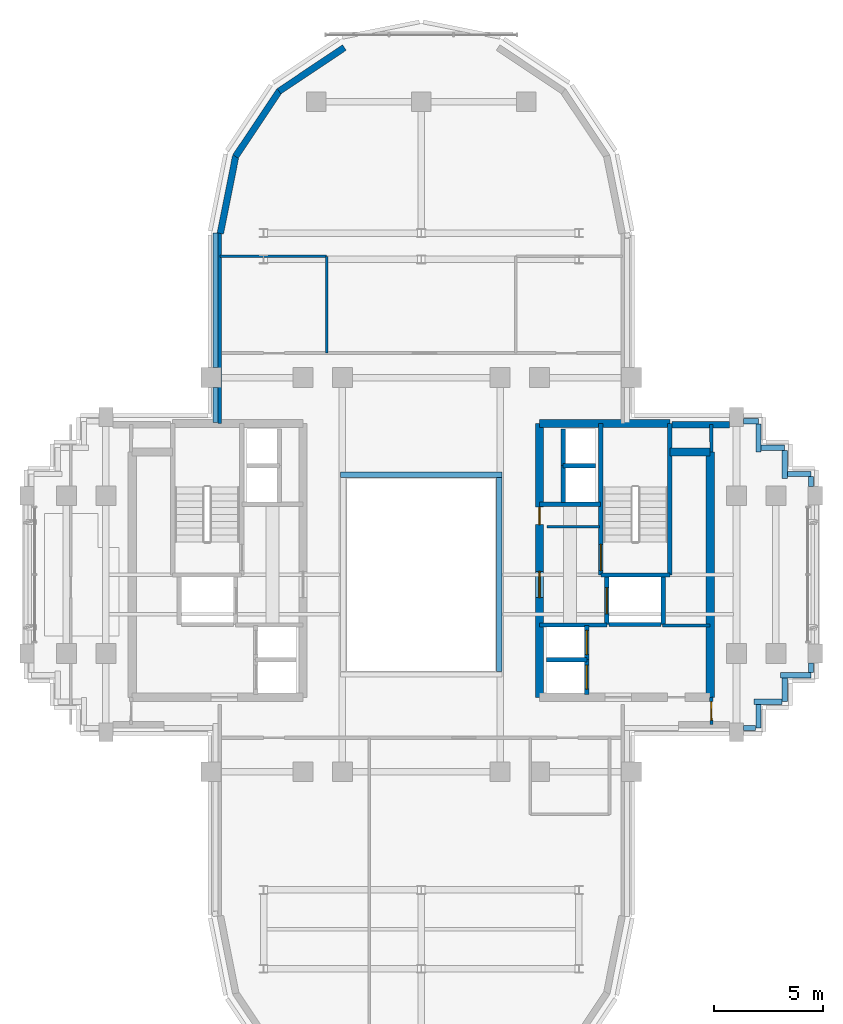
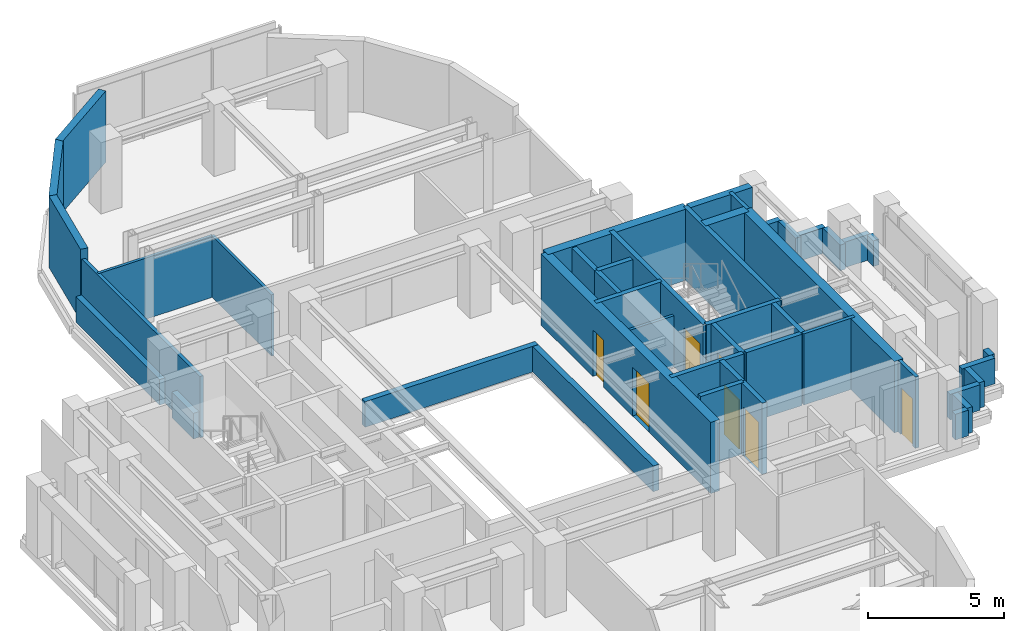
# One storey, part 7 of 11: 45 walls, 7 doors, 7 openings.
"""IFC4 building model written with IfcOpenShell, lengths in metres."""

from ifc_helpers import new_model, si_unit, direction, frame, frame_2d, origin, place, context, subcontext, project, spatial, rectangle, extrude, source, transform, mapped, material, layer, layer_set, type_object, element, fill, save


model = new_model("IFC4")

# Units and contexts
model_context = context("Model", 3, precision=1e-05, world=origin(), true_north=direction((0.0, 1.0)))
body_context = subcontext(model_context, "Body", "Model", "MODEL_VIEW")
ifc_project = project(units=[si_unit("LENGTHUNIT", "METRE"), si_unit("AREAUNIT", "SQUARE_METRE"), si_unit("VOLUMEUNIT", "CUBIC_METRE"), si_unit("PLANEANGLEUNIT", "RADIAN"), si_unit("MASSUNIT", "GRAM", prefix="KILO")], contexts=[model_context])

# Site, building, storey
site_placement = place(None, origin())
site = spatial("IfcSite", under=ifc_project, at=site_placement, CompositionType="ELEMENT")
building_placement = place(site_placement, origin())
building = spatial("IfcBuilding", under=site, at=building_placement, Name="Keilestroom Media Tower", CompositionType="ELEMENT")
storey_placement = place(building_placement, frame((0.0, 0.0, 170.60009765625)))
storey = spatial("IfcBuildingStorey", under=building, at=storey_placement, Name="L46", CompositionType="ELEMENT", Elevation=170.60009765625)

# Walls
ifc_material_1 = material(Name="Precast concrete C40/50", Category="concrete")
ifc_layer_1 = layer(ifc_material_1, 0.300048828125)
ifc_layer_set_1 = layer_set([ifc_layer_1], Name="Precast concrete C40/50")
wall_type_1 = type_object("IfcWallType", Name="Exterior-Masonry-Spandrel-Wall-300", PredefinedType="SOLIDWALL", material=ifc_layer_set_1)
wall_1_placement = place(storey_placement, frame((11.447998046875, 6.85009765625, 0.0), z_axis=(0.0, 0.0, 1.0), x_axis=(1.0, 0.0, 0.0)))
element("IfcWall", 1, at=wall_1_placement, inside=storey, type_object=wall_type_1, Name="L46 Flank Masonry Wall EWL-L46-NE-1", PredefinedType="SOLIDWALL", context=body_context, shape_type="SweptSolid", body=[
    extrude(rectangle(XDim=2.635009765625, YDim=0.300048828125, at=frame_2d((1.3173828125, 0.0))), origin(), (0.0, 0.0, 1.0), 3.199951171875),
])
wall_2_placement = place(storey_placement, frame((-3.510009765625, 24.073486328125, 0.0), z_axis=(0.0, 0.0, 1.0), x_axis=(-0.8314749531, -0.555562239868, 0.0)))
element("IfcWall", 2, at=wall_2_placement, inside=storey, type_object=wall_type_1, Name="L46 Lobe Facet Precast Frame Wall 04", PredefinedType="SOLIDWALL", context=body_context, shape_type="SweptSolid", body=[
    extrude(rectangle(XDim=3.59326171875, YDim=0.300048828125, at=frame_2d((1.796630859375, 0.0))), origin(), (0.0, 0.0, 1.0), 3.199951171875),
])
for number, where, z_axis, x_axis, name in (
    (3, (-6.47705078125, 22.097900390625, 0.0), (0.0, 0.0, 1.0), (-0.555574187116, -0.831466970246, 0.0), "L46 Lobe Facet Precast Frame Wall 05"),
    (4, (-8.470703125, 19.12451171875, 0.0), (0.0, 0.0, 1.0), (-0.195114232679, -0.980780523974, 0.0), "L46 Lobe Facet Precast Frame Wall 06"),
):
    element("IfcWall", number, at=place(storey_placement, frame(where, z_axis=z_axis, x_axis=x_axis)), inside=storey, type_object=wall_type_1, Name=name, PredefinedType="SOLIDWALL", context=body_context, shape_type="SweptSolid", body=[
        extrude(rectangle(XDim=3.608642578125, YDim=0.300048828125, at=frame_2d((1.80419921875, 0.0))), origin(), (0.0, 0.0, 1.0), 3.199951171875),
    ])
ifc_material_2 = material(Name="Gypsum Plasterboard & Steel Stud", Category="steel")
ifc_layer_2 = layer(ifc_material_2, 0.1201171875)
ifc_layer_set_2 = layer_set([ifc_layer_2], Name="Gypsum Plasterboard & Steel Stud")
wall_type_2 = type_object("IfcWallType", Name="Interior-Partition-Wall-120", PredefinedType="PARTITIONING", material=ifc_layer_set_2)
wall_3_placement = place(storey_placement, frame((5.75, 2.179931640625, 0.0), z_axis=(0.0, 0.0, 1.0), x_axis=(1.0, 0.0, 0.0)))
element("IfcWall", 5, at=wall_3_placement, inside=storey, type_object=wall_type_2, Name="L46 Interior Wall WP-L46-CIE-S", PredefinedType="PARTITIONING", context=body_context, shape_type="SweptSolid", body=[
    extrude(rectangle(XDim=2.389892578125, YDim=0.1201171875, at=frame_2d((1.19482421875, 0.0))), origin(), (0.0, 0.0, 1.0), 2.2998046875),
])
wall_4_placement = place(storey_placement, frame((-9.199951171875, 14.5400390625, 0.0), z_axis=(0.0, 0.0, 1.0), x_axis=(1.0, 0.0, 0.0)))
element("IfcWall", 6, at=wall_4_placement, inside=storey, type_object=wall_type_2, Name="L46 Interior Wall WP-L46-NL-HW", PredefinedType="PARTITIONING", context=body_context, shape_type="SweptSolid", body=[
    extrude(rectangle(XDim=4.8798828125, YDim=0.1201171875, at=frame_2d((2.43994140625, 0.0))), origin(), (0.0, 0.0, 1.0), 2.75),
])
wall_5_placement = place(storey_placement, frame((-4.320068359375, 10.1201171875, 0.0), z_axis=(0.0, 0.0, 1.0), x_axis=(0.0, 1.0, 0.0)))
element("IfcWall", 7, at=wall_5_placement, inside=storey, type_object=wall_type_2, Name="L46 Interior Wall WP-L46-NL-VW2", PredefinedType="PARTITIONING", context=body_context, shape_type="SweptSolid", body=[
    extrude(rectangle(XDim=4.419921875, YDim=0.1201171875, at=frame_2d((2.2099609375, 0.0))), origin(), (0.0, 0.0, 1.0), 2.75),
])
ifc_layer_3 = layer(ifc_material_2, 0.14990234375)
ifc_layer_set_3 = layer_set([ifc_layer_3], Name="Gypsum Plasterboard & Steel Stud")
wall_type_3 = type_object("IfcWallType", Name="Interior-Partition-Wall-150", PredefinedType="PARTITIONING", material=ifc_layer_set_3)
wall_6_placement = place(storey_placement, frame((11.02001953125, -2.320068359375, 0.0), z_axis=(0.0, 0.0, 1.0), x_axis=(1.0, 0.0, 0.0)))
element("IfcWall", 8, at=wall_6_placement, inside=storey, type_object=wall_type_3, Name="L46 Interior Wall WP-L46-RECLE-N", PredefinedType="PARTITIONING", context=body_context, shape_type="SweptSolid", body=[
    extrude(rectangle(XDim=2.179931640625, YDim=0.14990234375, at=frame_2d((1.08984375, 0.0))), origin(), (0.0, 0.0, 1.0), 3.199951171875),
])
wall_7_placement = place(storey_placement, frame((-9.199951171875, 6.89990234375, 0.0), z_axis=(0.0, 0.0, 1.0), x_axis=(0.0, 1.0, 0.0)))
element("IfcWall", 9, at=wall_7_placement, inside=storey, type_object=wall_type_3, Name="L46 Interior Wall WP-L46-NL-CHKW", PredefinedType="PARTITIONING", context=body_context, shape_type="SweptSolid", body=[
    extrude(rectangle(XDim=8.780029296875, YDim=0.14990234375, at=frame_2d((4.39013671875, 0.0))), origin(), (0.0, 0.0, 1.0), 2.75),
])
wall_8_placement = place(storey_placement, frame((13.260009765625, 5.60009765625, 0.0), z_axis=(0.0, 0.0, 1.0), x_axis=(-0.016013571389, 0.999871774545, 0.0)))
element("IfcWall", 10, at=wall_8_placement, inside=storey, type_object=wall_type_3, Name="L46 Interior Wall WP-L46-EA-ENTN", PredefinedType="PARTITIONING", context=body_context, shape_type="SweptSolid", body=[
    extrude(rectangle(XDim=1.250244140625, YDim=0.14990234375, at=frame_2d((0.625, 0.0))), origin(), (0.0, 0.0, 1.0), 3.199951171875),
])

# Wall, opening, door
wall_9_placement = place(storey_placement, frame((13.260009765625, -6.85009765625, 0.0), z_axis=(0.0, 0.0, 1.0), x_axis=(-0.016013571389, 0.999871774545, 0.0)))
wall_9 = element("IfcWall", 11, at=wall_9_placement, inside=storey, type_object=wall_type_3, Name="L46 Interior Wall WP-L46-EA-ENTS", PredefinedType="PARTITIONING", context=body_context, shape_type="SweptSolid", body=[
    extrude(rectangle(XDim=1.250244140625, YDim=0.14990234375, at=frame_2d((0.625, 0.0))), origin(), (0.0, 0.0, 1.0), 3.199951171875),
])
opening_1_placement = place(wall_9_placement, frame((0.199951171875, 0.0, 0.0)))
opening_1 = element("IfcOpeningElement", 12, at=opening_1_placement, cuts=wall_9, Name="Opening DI-05", PredefinedType="OPENING", context=body_context, shape_type="SweptSolid", body=[
    extrude(rectangle(XDim=0.85009765625, YDim=2.10009765625, at=frame_2d((0.425048828125, 1.050048828125))), frame((0.0, 0.0849609375, 0.0), z_axis=(0.0, -1.0, 0.0), x_axis=(1.0, 0.0, 0.0)), (0.0, 0.0, 1.0), 0.169921875),
])
ifc_material_3 = material(Name="Moisture-Resistant Oak Leaf", Category="wood")
door_type_1 = type_object("IfcDoorType", Name="Interior-En-Suite-And-Cupboard-Door-DI-05", OperationType="NOTDEFINED", PredefinedType="DOOR", material=ifc_material_3)
shared_shape_1 = source(origin(), body_context, "Body", "SweptSolid", [
    extrude(rectangle(XDim=0.85009765625, YDim=2.10009765625, at=frame_2d((0.425048828125, 1.050048828125))), frame((0.0, 0.02490234375, 0.0), z_axis=(0.0, -1.0, 0.0), x_axis=(1.0, 0.0, 0.0)), (0.0, 0.0, 1.0), 0.050048828125),
])
door_1_placement = place(opening_1_placement, origin())
door_1 = element("IfcDoor", 13, at=door_1_placement, inside=storey, type_object=door_type_1, Name="L46 Interior Door DI-L46-DEA-S", OperationType="SINGLE_SWING_LEFT", OverallHeight=2.10009765625, OverallWidth=0.85009765625, PredefinedType="DOOR", context=body_context, shape_type="MappedRepresentation", body=[
    mapped(shared_shape_1, transform((0.0, 0.0, 0.0), x_axis=(1.0, 0.0, 0.0), y_axis=(0.0, 1.0, 0.0), z_axis=(0.0, 0.0, 1.0), scale=1.0)),
])
fill(opening_1, door_1)

# Wall
ifc_material_4 = material(Name="Concrete C55/67", Category="concrete")
ifc_layer_4 = layer(ifc_material_4, 0.3798828125)
ifc_layer_set_4 = layer_set([ifc_layer_4], Name="Concrete C55/67")
wall_type_4 = type_object("IfcWallType", Name="Reinforced-Concrete-Core-Shear-Wall-380", PredefinedType="SHEAR", material=ifc_layer_set_4)
wall_10_placement = place(storey_placement, frame((13.199951171875, -5.60009765625, 0.0), z_axis=(0.0, 0.0, 1.0), x_axis=(0.0, 1.0, 0.0)))
element("IfcWall", 14, at=wall_10_placement, inside=storey, type_object=wall_type_4, Name="L46 Core Shear Wall WL-L46-CORE-E-OUT", PredefinedType="SHEAR", context=body_context, shape_type="SweptSolid", body=[
    extrude(rectangle(XDim=11.2001953125, YDim=0.3798828125, at=frame_2d((5.60009765625, 0.0))), origin(), (0.0, 0.0, 1.0), 3.199951171875),
])

# Wall, openings, doors
wall_11_placement = place(storey_placement, frame((5.39990234375, -5.60009765625, 0.0), z_axis=(0.0, 0.0, 1.0), x_axis=(0.0, 1.0, 0.0)))
wall_11 = element("IfcWall", 15, at=wall_11_placement, inside=storey, type_object=wall_type_4, Name="L46 Core Shear Wall WL-L46-CORE-E-IN", PredefinedType="SHEAR", context=body_context, shape_type="SweptSolid", body=[
    extrude(rectangle(XDim=12.5, YDim=0.3798828125, at=frame_2d((6.25, 0.0))), origin(), (0.0, 0.0, 1.0), 3.199951171875),
])
opening_2_placement = place(wall_11_placement, frame((4.550048828125, 0.0, 0.0)))
opening_2 = element("IfcOpeningElement", 16, at=opening_2_placement, cuts=wall_11, Name="Opening DI-02", PredefinedType="OPENING", context=body_context, shape_type="SweptSolid", body=[
    extrude(rectangle(XDim=1.199951171875, YDim=2.199951171875, at=frame_2d((0.60009765625, 1.10009765625))), frame((0.0, 0.199951171875, 0.0), z_axis=(0.0, -1.0, 0.0), x_axis=(1.0, 0.0, 0.0)), (0.0, 0.0, 1.0), 0.39990234375),
])
opening_3_placement = place(wall_11_placement, frame((7.8798828125, 0.0, 0.0)))
opening_3 = element("IfcOpeningElement", 17, at=opening_3_placement, cuts=wall_11, Name="Opening DI-06", PredefinedType="OPENING", context=body_context, shape_type="SweptSolid", body=[
    extrude(rectangle(XDim=0.800048828125, YDim=2.10009765625, at=frame_2d((0.39990234375, 1.050048828125))), frame((0.0, 0.199951171875, 0.0), z_axis=(0.0, -1.0, 0.0), x_axis=(1.0, 0.0, 0.0)), (0.0, 0.0, 1.0), 0.39990234375),
])
ifc_material_5 = material(Name="Powder-Coated Steel Fire Leaf", Category="steel")
door_type_2 = type_object("IfcDoorType", Name="Interior-Compartment-Fire-Door-DI-02", OperationType="NOTDEFINED", PredefinedType="DOOR", material=ifc_material_5)
shared_shape_2 = source(origin(), body_context, "Body", "SweptSolid", [
    extrude(rectangle(XDim=1.199951171875, YDim=2.199951171875, at=frame_2d((0.60009765625, 1.10009765625))), frame((0.0, 0.02490234375, 0.0), z_axis=(0.0, -1.0, 0.0), x_axis=(1.0, 0.0, 0.0)), (0.0, 0.0, 1.0), 0.050048828125),
])
door_2_placement = place(opening_2_placement, origin())
door_2 = element("IfcDoor", 18, at=door_2_placement, inside=storey, type_object=door_type_2, Name="L46 E Firefighting Lobby Door", OperationType="SINGLE_SWING_LEFT", OverallHeight=2.199951171875, OverallWidth=1.199951171875, PredefinedType="DOOR", context=body_context, shape_type="MappedRepresentation", body=[
    mapped(shared_shape_2, transform((0.0, 0.0, 0.0), x_axis=(1.0, 0.0, 0.0), y_axis=(0.0, 1.0, 0.0), z_axis=(0.0, 0.0, 1.0), scale=1.0)),
])
fill(opening_2, door_2)
ifc_material_6 = material(Name="Powder-Coated Steel Service Leaf", Category="steel")
door_type_3 = type_object("IfcDoorType", Name="Interior-Riser-Access-Door-DI-06", OperationType="NOTDEFINED", PredefinedType="DOOR", material=ifc_material_6)
shared_shape_3 = source(origin(), body_context, "Body", "SweptSolid", [
    extrude(rectangle(XDim=0.800048828125, YDim=2.10009765625, at=frame_2d((0.39990234375, 1.050048828125))), frame((0.0, 0.02490234375, 0.0), z_axis=(0.0, -1.0, 0.0), x_axis=(1.0, 0.0, 0.0)), (0.0, 0.0, 1.0), 0.050048828125),
])
door_3_placement = place(opening_3_placement, origin())
door_3 = element("IfcDoor", 19, at=door_3_placement, inside=storey, type_object=door_type_3, Name="L46 East Core Closet Door", OperationType="SINGLE_SWING_RIGHT", OverallHeight=2.10009765625, OverallWidth=0.800048828125, PredefinedType="DOOR", context=body_context, shape_type="MappedRepresentation", body=[
    mapped(shared_shape_3, transform((0.0, 0.0, 0.0), x_axis=(1.0, 0.0, 0.0), y_axis=(0.0, 1.0, 0.0), z_axis=(0.0, 0.0, 1.0), scale=1.0)),
])
fill(opening_3, door_3)

# Walls
wall_12_placement = place(storey_placement, frame((5.39990234375, 6.89990234375, 0.0), z_axis=(0.0, 0.0, 1.0), x_axis=(1.0, 0.0, 0.0)))
element("IfcWall", 20, at=wall_12_placement, inside=storey, type_object=wall_type_4, Name="L46 Core Shear Wall WL-L46-CORE-E-N", PredefinedType="SHEAR", context=body_context, shape_type="SweptSolid", body=[
    extrude(rectangle(XDim=5.9560546875, YDim=0.3798828125, at=frame_2d((2.97802734375, 0.0))), origin(), (0.0, 0.0, 1.0), 3.199951171875),
])
wall_13_placement = place(storey_placement, frame((11.35595703125, 5.60009765625, 0.0), z_axis=(0.0, 0.0, 1.0), x_axis=(1.0, 0.0, 0.0)))
element("IfcWall", 21, at=wall_13_placement, inside=storey, type_object=wall_type_4, Name="L46 Core Shear Wall WL-L46-CNE-N", PredefinedType="SHEAR", context=body_context, shape_type="SweptSolid", body=[
    extrude(rectangle(XDim=1.843994140625, YDim=0.3798828125, at=frame_2d((0.921875, 0.0))), origin(), (0.0, 0.0, 1.0), 3.199951171875),
])
ifc_material_7 = material(Name="Concrete C50/60", Category="concrete")
ifc_layer_5 = layer(ifc_material_7, 0.199951171875)
ifc_layer_set_5 = layer_set([ifc_layer_5], Name="Concrete C50/60")
wall_type_5 = type_object("IfcWallType", Name="Reinforced-Concrete-Shaft-Wall-200", PredefinedType="SOLIDWALL", material=ifc_layer_set_5)
wall_14_placement = place(storey_placement, frame((5.39990234375, 3.219970703125, 0.0), z_axis=(0.0, 0.0, 1.0), x_axis=(1.0, 0.0, 0.0)))
element("IfcWall", 22, at=wall_14_placement, inside=storey, type_object=wall_type_5, Name="L46 Core Shear Wall WL-L46-CORE-E-FFN", PredefinedType="SOLIDWALL", context=body_context, shape_type="SweptSolid", body=[
    extrude(rectangle(XDim=2.780029296875, YDim=0.199951171875, at=frame_2d((1.39013671875, 0.0))), origin(), (0.0, 0.0, 1.0), 3.199951171875),
])
wall_15_placement = place(storey_placement, frame((5.39990234375, -2.300048828125, 0.0), z_axis=(0.0, 0.0, 1.0), x_axis=(1.0, 0.0, 0.0)))
element("IfcWall", 23, at=wall_15_placement, inside=storey, type_object=wall_type_5, Name="L46 Core Shear Wall WL-L46-CORE-E-FFS", PredefinedType="SOLIDWALL", context=body_context, shape_type="SweptSolid", body=[
    extrude(rectangle(XDim=3.080078125, YDim=0.199951171875, at=frame_2d((1.5400390625, 0.0))), origin(), (0.0, 0.0, 1.0), 3.199951171875),
])

# Wall, opening, door
wall_16_placement = place(storey_placement, frame((8.2041015625, -0.01611328125, 0.0), z_axis=(0.0, 0.0, 1.0), x_axis=(0.0, 1.0, 0.0)))
wall_16 = element("IfcWall", 24, at=wall_16_placement, inside=storey, type_object=wall_type_5, Name="L46 Core Shear Wall WL-L46-STW-E-NEAR", PredefinedType="SOLIDWALL", context=body_context, shape_type="SweptSolid", body=[
    extrude(rectangle(XDim=6.916015625, YDim=0.199951171875, at=frame_2d((3.4580078125, 0.0))), origin(), (0.0, 0.0, 1.0), 3.199951171875),
])
opening_4_placement = place(wall_16_placement, frame((0.199951171875, 0.0, 0.0)))
opening_4 = element("IfcOpeningElement", 25, at=opening_4_placement, cuts=wall_16, Name="Opening DI-01S", PredefinedType="OPENING", context=body_context, shape_type="SweptSolid", body=[
    extrude(rectangle(XDim=1.199951171875, YDim=2.199951171875, at=frame_2d((0.60009765625, 1.10009765625))), frame((0.0, 0.10986328125, 0.0), z_axis=(0.0, -1.0, 0.0), x_axis=(1.0, 0.0, 0.0)), (0.0, 0.0, 1.0), 0.219970703125),
])
door_type_4 = type_object("IfcDoorType", Name="Interior-Stair-And-Core-Fire-Door-DI-01", OperationType="NOTDEFINED", PredefinedType="DOOR", material=ifc_material_5)
door_4_placement = place(opening_4_placement, origin())
door_4 = element("IfcDoor", 26, at=door_4_placement, inside=storey, type_object=door_type_4, Name="L46 Escape Stair ST-2 Fire Door", OperationType="SINGLE_SWING_RIGHT", OverallHeight=2.199951171875, OverallWidth=1.199951171875, PredefinedType="DOOR", context=body_context, shape_type="MappedRepresentation", body=[
    mapped(shared_shape_2, transform((0.0, 0.0, 0.0), x_axis=(1.0, 0.0, 0.0), y_axis=(0.0, 1.0, 0.0), z_axis=(0.0, 0.0, 1.0), scale=1.0)),
])
fill(opening_4, door_4)

# Walls
wall_17_placement = place(storey_placement, frame((11.35595703125, -0.01611328125, 0.0), z_axis=(0.0, 0.0, 1.0), x_axis=(0.0, 1.0, 0.0)))
element("IfcWall", 27, at=wall_17_placement, inside=storey, type_object=wall_type_5, Name="L46 Core Shear Wall WL-L46-STW-E-FAR", PredefinedType="SOLIDWALL", context=body_context, shape_type="SweptSolid", body=[
    extrude(rectangle(XDim=6.916015625, YDim=0.199951171875, at=frame_2d((3.4580078125, 0.0))), origin(), (0.0, 0.0, 1.0), 3.199951171875),
])
wall_18_placement = place(storey_placement, frame((8.2041015625, -0.01611328125, 0.0), z_axis=(0.0, 0.0, 1.0), x_axis=(1.0, 0.0, 0.0)))
element("IfcWall", 28, at=wall_18_placement, inside=storey, type_object=wall_type_5, Name="L46 Core Shear Wall WL-L46-STW-E-S", PredefinedType="SOLIDWALL", context=body_context, shape_type="SweptSolid", body=[
    extrude(rectangle(XDim=3.15185546875, YDim=0.199951171875, at=frame_2d((1.575927734375, 0.0))), origin(), (0.0, 0.0, 1.0), 3.199951171875),
])

# Wall, opening, door
wall_19_placement = place(storey_placement, frame((8.47998046875, -2.280029296875, 0.0), z_axis=(0.0, 0.0, 1.0), x_axis=(0.0, 1.0, 0.0)))
wall_19 = element("IfcWall", 29, at=wall_19_placement, inside=storey, type_object=wall_type_5, Name="L46 Core Shear Wall WL-L46-LSH-FFL-2-W", PredefinedType="SOLIDWALL", context=body_context, shape_type="SweptSolid", body=[
    extrude(rectangle(XDim=2.179931640625, YDim=0.199951171875, at=frame_2d((1.08984375, 0.0))), origin(), (0.0, 0.0, 1.0), 3.199951171875),
])
opening_5_placement = place(wall_19_placement, frame((0.489990234375, 0.0, 0.0)))
opening_5 = element("IfcOpeningElement", 30, at=opening_5_placement, cuts=wall_19, Name="Opening LD-02", PredefinedType="OPENING", context=body_context, shape_type="SweptSolid", body=[
    extrude(rectangle(XDim=1.199951171875, YDim=2.199951171875, at=frame_2d((0.60009765625, 1.10009765625))), frame((0.0, 0.10986328125, 0.0), z_axis=(0.0, -1.0, 0.0), x_axis=(1.0, 0.0, 0.0)), (0.0, 0.0, 1.0), 0.219970703125),
])
ifc_material_8 = material(Name="Brushed Stainless Steel Sliding Leaf", Category="steel")
door_type_5 = type_object("IfcDoorType", Name="Lift-Landing-Sliding-Door-LD-02", OperationType="SLIDING_TO_RIGHT", PredefinedType="DOOR", material=ifc_material_8)
door_5_placement = place(opening_5_placement, origin())
door_5 = element("IfcDoor", 31, at=door_5_placement, inside=storey, type_object=door_type_5, Name="L46 Lift FFL-2 Landing Sliding Door", OperationType="SLIDING_TO_RIGHT", OverallHeight=2.199951171875, OverallWidth=1.199951171875, PredefinedType="DOOR", context=body_context, shape_type="MappedRepresentation", body=[
    mapped(shared_shape_2, transform((0.0, 0.0, 0.0), x_axis=(1.0, 0.0, 0.0), y_axis=(0.0, 1.0, 0.0), z_axis=(0.0, 0.0, 1.0), scale=1.0)),
])
fill(opening_5, door_5)

# Walls
wall_20_placement = place(storey_placement, frame((11.050048828125, -2.280029296875, 0.0), z_axis=(0.0, 0.0, 1.0), x_axis=(0.0, 1.0, 0.0)))
element("IfcWall", 32, at=wall_20_placement, inside=storey, type_object=wall_type_5, Name="L46 Core Shear Wall WL-L46-LSH-FFL-2-E", PredefinedType="SOLIDWALL", context=body_context, shape_type="SweptSolid", body=[
    extrude(rectangle(XDim=2.179931640625, YDim=0.199951171875, at=frame_2d((1.08984375, 0.0))), origin(), (0.0, 0.0, 1.0), 3.199951171875),
])
wall_21_placement = place(storey_placement, frame((8.583984375, -2.280029296875, 0.0), z_axis=(0.0, 0.0, 1.0), x_axis=(1.0, 0.0, 0.0)))
element("IfcWall", 33, at=wall_21_placement, inside=storey, type_object=wall_type_5, Name="L46 Core Shear Wall WL-L46-LSH-FFL-2-S", PredefinedType="SOLIDWALL", context=body_context, shape_type="SweptSolid", body=[
    extrude(rectangle(XDim=2.362060546875, YDim=0.199951171875, at=frame_2d((1.18115234375, 0.0))), origin(), (0.0, 0.0, 1.0), 3.199951171875),
])

# Wall, opening, door
wall_22_placement = place(storey_placement, frame((7.56005859375, -5.47998046875, 0.0), z_axis=(0.0, 0.0, 1.0), x_axis=(0.0, 1.0, 0.0)))
wall_22 = element("IfcWall", 34, at=wall_22_placement, inside=storey, type_object=wall_type_5, Name="L46 Core Shear Wall WL-L46-LSH-PL-M3-E", PredefinedType="SOLIDWALL", context=body_context, shape_type="SweptSolid", body=[
    extrude(rectangle(XDim=1.60009765625, YDim=0.199951171875, at=frame_2d((0.800048828125, 0.0))), origin(), (0.0, 0.0, 1.0), 3.199951171875),
])
opening_6_placement = place(wall_22_placement, frame((0.25, 0.0, 0.0)))
opening_6 = element("IfcOpeningElement", 35, at=opening_6_placement, cuts=wall_22, Name="Opening LD-01", PredefinedType="OPENING", context=body_context, shape_type="SweptSolid", body=[
    extrude(rectangle(XDim=1.10009765625, YDim=2.199951171875, at=frame_2d((0.550048828125, 1.10009765625))), frame((0.0, 0.10986328125, 0.0), z_axis=(0.0, -1.0, 0.0), x_axis=(1.0, 0.0, 0.0)), (0.0, 0.0, 1.0), 0.219970703125),
])
door_type_6 = type_object("IfcDoorType", Name="Lift-Landing-Sliding-Door-LD-01", OperationType="SLIDING_TO_LEFT", PredefinedType="DOOR", material=ifc_material_8)
shared_shape_4 = source(origin(), body_context, "Body", "SweptSolid", [
    extrude(rectangle(XDim=1.10009765625, YDim=2.199951171875, at=frame_2d((0.550048828125, 1.10009765625))), frame((0.0, 0.02490234375, 0.0), z_axis=(0.0, -1.0, 0.0), x_axis=(1.0, 0.0, 0.0)), (0.0, 0.0, 1.0), 0.050048828125),
])
door_6_placement = place(opening_6_placement, origin())
door_6 = element("IfcDoor", 36, at=door_6_placement, inside=storey, type_object=door_type_6, Name="L46 Lift PL-M3 Landing Sliding Door", OperationType="SLIDING_TO_LEFT", OverallHeight=2.199951171875, OverallWidth=1.10009765625, PredefinedType="DOOR", context=body_context, shape_type="MappedRepresentation", body=[
    mapped(shared_shape_4, transform((0.0, 0.0, 0.0), x_axis=(1.0, 0.0, 0.0), y_axis=(0.0, 1.0, 0.0), z_axis=(0.0, 0.0, 1.0), scale=1.0)),
])
fill(opening_6, door_6)

# Wall
wall_23_placement = place(storey_placement, frame((5.719970703125, -3.8798828125, 0.0), z_axis=(0.0, 0.0, 1.0), x_axis=(1.0, 0.0, 0.0)))
element("IfcWall", 37, at=wall_23_placement, inside=storey, type_object=wall_type_5, Name="L46 Core Shear Wall WL-L46-LSH-PL-M3-N", PredefinedType="SOLIDWALL", context=body_context, shape_type="SweptSolid", body=[
    extrude(rectangle(XDim=1.840087890625, YDim=0.199951171875, at=frame_2d((0.919921875, 0.0))), origin(), (0.0, 0.0, 1.0), 3.199951171875),
])

# Wall, opening, door
wall_24_placement = place(storey_placement, frame((7.56005859375, -3.8798828125, 0.0), z_axis=(0.0, 0.0, 1.0), x_axis=(0.0, 1.0, 0.0)))
wall_24 = element("IfcWall", 38, at=wall_24_placement, inside=storey, type_object=wall_type_5, Name="L46 Core Shear Wall WL-L46-LSH-PL-M4-E", PredefinedType="SOLIDWALL", context=body_context, shape_type="SweptSolid", body=[
    extrude(rectangle(XDim=1.559814453125, YDim=0.199951171875, at=frame_2d((0.77978515625, 0.0))), origin(), (0.0, 0.0, 1.0), 3.199951171875),
])
opening_7_placement = place(wall_24_placement, frame((0.22998046875, 0.0, 0.0)))
opening_7 = element("IfcOpeningElement", 39, at=opening_7_placement, cuts=wall_24, Name="Opening LD-01", PredefinedType="OPENING", context=body_context, shape_type="SweptSolid", body=[
    extrude(rectangle(XDim=1.10009765625, YDim=2.199951171875, at=frame_2d((0.550048828125, 1.10009765625))), frame((0.0, 0.10986328125, 0.0), z_axis=(0.0, -1.0, 0.0), x_axis=(1.0, 0.0, 0.0)), (0.0, 0.0, 1.0), 0.219970703125),
])
door_7_placement = place(opening_7_placement, origin())
door_7 = element("IfcDoor", 40, at=door_7_placement, inside=storey, type_object=door_type_6, Name="L46 Lift PL-M4 Landing Sliding Door", OperationType="SLIDING_TO_LEFT", OverallHeight=2.199951171875, OverallWidth=1.10009765625, PredefinedType="DOOR", context=body_context, shape_type="MappedRepresentation", body=[
    mapped(shared_shape_4, transform((0.0, 0.0, 0.0), x_axis=(1.0, 0.0, 0.0), y_axis=(0.0, 1.0, 0.0), z_axis=(0.0, 0.0, 1.0), scale=1.0)),
])
fill(opening_7, door_7)

# Walls
wall_25_placement = place(storey_placement, frame((6.47998046875, 3.300048828125, 0.0), z_axis=(0.0, 0.0, 1.0), x_axis=(0.0, 1.0, 0.0)))
element("IfcWall", 41, at=wall_25_placement, inside=storey, type_object=wall_type_5, Name="L46 Core Shear Wall WL-L46-LSH-PL-H3-W", PredefinedType="SOLIDWALL", context=body_context, shape_type="SweptSolid", body=[
    extrude(rectangle(XDim=1.679931640625, YDim=0.199951171875, at=frame_2d((0.83984375, 0.0))), origin(), (0.0, 0.0, 1.0), 3.199951171875),
])
wall_26_placement = place(storey_placement, frame((6.47998046875, 4.97998046875, 0.0), z_axis=(0.0, 0.0, 1.0), x_axis=(1.0, 0.0, 0.0)))
element("IfcWall", 42, at=wall_26_placement, inside=storey, type_object=wall_type_5, Name="L46 Core Shear Wall WL-L46-LSH-PL-H3-N", PredefinedType="SOLIDWALL", context=body_context, shape_type="SweptSolid", body=[
    extrude(rectangle(XDim=1.469970703125, YDim=0.199951171875, at=frame_2d((0.73486328125, 0.0))), origin(), (0.0, 0.0, 1.0), 3.199951171875),
])
wall_27_placement = place(storey_placement, frame((6.47998046875, 4.97998046875, 0.0), z_axis=(0.0, 0.0, 1.0), x_axis=(0.0, 1.0, 0.0)))
element("IfcWall", 43, at=wall_27_placement, inside=storey, type_object=wall_type_5, Name="L46 Core Shear Wall WL-L46-LSH-PL-H4-W", PredefinedType="SOLIDWALL", context=body_context, shape_type="SweptSolid", body=[
    extrude(rectangle(XDim=1.669921875, YDim=0.199951171875, at=frame_2d((0.8349609375, 0.0))), origin(), (0.0, 0.0, 1.0), 3.199951171875),
])
ifc_layer_6 = layer(ifc_material_1, 0.239990234375)
ifc_layer_set_6 = layer_set([ifc_layer_6], Name="Precast concrete C40/50")
wall_type_6 = type_object("IfcWallType", Name="Roof-And-Terrace-Parapet-Wall-240", PredefinedType="PARAPET", material=ifc_layer_set_6)
wall_28_placement = place(storey_placement, frame((17.800048828125, -4.60009765625, 0.0), z_axis=(0.0, 0.0, 1.0), x_axis=(-1.0, 0.0, 0.0)))
element("IfcWall", 44, at=wall_28_placement, inside=storey, type_object=wall_type_6, Name="L46 Perimeter Edge Parapet Wall 01", PredefinedType="PARAPET", context=body_context, shape_type="SweptSolid", body=[
    extrude(rectangle(XDim=1.400146484375, YDim=0.239990234375, at=frame_2d((0.7001953125, 0.0))), origin(), (0.0, 0.0, 1.0), 1.14990234375),
])
wall_29_placement = place(storey_placement, frame((16.60009765625, -4.722900390625, 0.0), z_axis=(0.0, 0.0, 1.0), x_axis=(0.0, -1.0, 0.0)))
element("IfcWall", 45, at=wall_29_placement, inside=storey, type_object=wall_type_6, Name="L46 Perimeter Edge Parapet Wall 02", PredefinedType="PARAPET", context=body_context, shape_type="SweptSolid", body=[
    extrude(rectangle(XDim=1.0771484375, YDim=0.239990234375, at=frame_2d((0.53857421875, 0.0))), origin(), (0.0, 0.0, 1.0), 1.14990234375),
])
wall_30_placement = place(storey_placement, frame((16.47705078125, -5.800048828125, 0.0), z_axis=(0.0, 0.0, 1.0), x_axis=(-1.0, 0.0, 0.0)))
element("IfcWall", 46, at=wall_30_placement, inside=storey, type_object=wall_type_6, Name="L46 Perimeter Edge Parapet Wall 03", PredefinedType="PARAPET", context=body_context, shape_type="SweptSolid", body=[
    extrude(rectangle(XDim=1.277099609375, YDim=0.239990234375, at=frame_2d((0.638671875, 0.0))), origin(), (0.0, 0.0, 1.0), 1.14990234375),
])
wall_31_placement = place(storey_placement, frame((15.39990234375, -5.923095703125, 0.0), z_axis=(0.0, 0.0, 1.0), x_axis=(0.0, -1.0, 0.0)))
element("IfcWall", 47, at=wall_31_placement, inside=storey, type_object=wall_type_6, Name="L46 Perimeter Edge Parapet Wall 04", PredefinedType="PARAPET", context=body_context, shape_type="SweptSolid", body=[
    extrude(rectangle(XDim=1.076904296875, YDim=0.239990234375, at=frame_2d((0.53857421875, 0.0))), origin(), (0.0, 0.0, 1.0), 1.14990234375),
])
wall_32_placement = place(storey_placement, frame((15.277099609375, -7.0, 0.0), z_axis=(0.0, 0.0, 1.0), x_axis=(-1.0, 0.0, 0.0)))
element("IfcWall", 48, at=wall_32_placement, inside=storey, type_object=wall_type_6, Name="L46 Perimeter Edge Parapet Wall 05", PredefinedType="PARAPET", context=body_context, shape_type="SweptSolid", body=[
    extrude(rectangle(XDim=0.549072265625, YDim=0.239990234375, at=frame_2d((0.2744140625, 0.0))), origin(), (0.0, 0.0, 1.0), 1.14990234375),
])
wall_33_placement = place(storey_placement, frame((-9.39990234375, 6.952880859375, 0.0), z_axis=(0.0, 0.0, 1.0), x_axis=(0.0, 1.0, 0.0)))
element("IfcWall", 49, at=wall_33_placement, inside=storey, type_object=wall_type_6, Name="L46 Perimeter Edge Parapet Wall 27", PredefinedType="PARAPET", context=body_context, shape_type="SweptSolid", body=[
    extrude(rectangle(XDim=1.59423828125, YDim=0.239990234375, at=frame_2d((0.797119140625, 0.0))), origin(), (0.0, 0.0, 1.0), 1.14990234375),
])
wall_34_placement = place(storey_placement, frame((-9.39990234375, 9.452880859375, 0.0), z_axis=(0.0, 0.0, 1.0), x_axis=(0.0, 1.0, 0.0)))
element("IfcWall", 50, at=wall_34_placement, inside=storey, type_object=wall_type_6, Name="L46 Perimeter Edge Parapet Wall 28", PredefinedType="PARAPET", context=body_context, shape_type="SweptSolid", body=[
    extrude(rectangle(XDim=6.14990234375, YDim=0.239990234375, at=frame_2d((3.074951171875, 0.0))), origin(), (0.0, 0.0, 1.0), 1.14990234375),
])
wall_35_placement = place(storey_placement, frame((14.72802734375, 7.0, 0.0), z_axis=(0.0, 0.0, 1.0), x_axis=(1.0, 0.0, 0.0)))
element("IfcWall", 51, at=wall_35_placement, inside=storey, type_object=wall_type_6, Name="L46 Perimeter Edge Parapet Wall 32", PredefinedType="PARAPET", context=body_context, shape_type="SweptSolid", body=[
    extrude(rectangle(XDim=0.671875, YDim=0.239990234375, at=frame_2d((0.3359375, 0.0))), origin(), (0.0, 0.0, 1.0), 1.14990234375),
])
wall_36_placement = place(storey_placement, frame((15.39990234375, 6.876953125, 0.0), z_axis=(0.0, 0.0, 1.0), x_axis=(0.0, -1.0, 0.0)))
element("IfcWall", 52, at=wall_36_placement, inside=storey, type_object=wall_type_6, Name="L46 Perimeter Edge Parapet Wall 33", PredefinedType="PARAPET", context=body_context, shape_type="SweptSolid", body=[
    extrude(rectangle(XDim=1.27685546875, YDim=0.239990234375, at=frame_2d((0.638427734375, 0.0))), origin(), (0.0, 0.0, 1.0), 1.14990234375),
])
wall_37_placement = place(storey_placement, frame((15.52294921875, 5.800048828125, 0.0), z_axis=(0.0, 0.0, 1.0), x_axis=(1.0, 0.0, 0.0)))
element("IfcWall", 53, at=wall_37_placement, inside=storey, type_object=wall_type_6, Name="L46 Perimeter Edge Parapet Wall 34", PredefinedType="PARAPET", context=body_context, shape_type="SweptSolid", body=[
    extrude(rectangle(XDim=1.0771484375, YDim=0.239990234375, at=frame_2d((0.53857421875, 0.0))), origin(), (0.0, 0.0, 1.0), 1.14990234375),
])
wall_38_placement = place(storey_placement, frame((16.60009765625, 5.677001953125, 0.0), z_axis=(0.0, 0.0, 1.0), x_axis=(0.0, -1.0, 0.0)))
element("IfcWall", 54, at=wall_38_placement, inside=storey, type_object=wall_type_6, Name="L46 Perimeter Edge Parapet Wall 35", PredefinedType="PARAPET", context=body_context, shape_type="SweptSolid", body=[
    extrude(rectangle(XDim=1.277099609375, YDim=0.239990234375, at=frame_2d((0.638671875, 0.0))), origin(), (0.0, 0.0, 1.0), 1.14990234375),
])
wall_39_placement = place(storey_placement, frame((16.722900390625, 4.60009765625, 0.0), z_axis=(0.0, 0.0, 1.0), x_axis=(1.0, 0.0, 0.0)))
element("IfcWall", 55, at=wall_39_placement, inside=storey, type_object=wall_type_6, Name="L46 Perimeter Edge Parapet Wall 36", PredefinedType="PARAPET", context=body_context, shape_type="SweptSolid", body=[
    extrude(rectangle(XDim=1.0771484375, YDim=0.239990234375, at=frame_2d((0.53857421875, 0.0))), origin(), (0.0, 0.0, 1.0), 1.14990234375),
])
for number, where, z_axis, x_axis, name in (
    (56, (17.800048828125, 4.47705078125, 0.0), (0.0, 0.0, 1.0), (0.0, -1.0, 0.0), "L46 Perimeter Edge Parapet Wall 37"),
    (57, (17.800048828125, -4.028076171875, 0.0), (0.0, 0.0, 1.0), (0.0, -1.0, 0.0), "L46 Perimeter Edge Parapet Wall 38"),
):
    element("IfcWall", number, at=place(storey_placement, frame(where, z_axis=z_axis, x_axis=x_axis)), inside=storey, type_object=wall_type_6, Name=name, PredefinedType="PARAPET", context=body_context, shape_type="SweptSolid", body=[
        extrude(rectangle(XDim=0.448974609375, YDim=0.239990234375, at=frame_2d((0.224609375, 0.0))), origin(), (0.0, 0.0, 1.0), 1.14990234375),
    ])
wall_40_placement = place(storey_placement, frame((-3.679931640625, 4.56005859375, 0.0), z_axis=(0.0, 0.0, 1.0), x_axis=(1.0, 0.0, 0.0)))
element("IfcWall", 58, at=wall_40_placement, inside=storey, type_object=wall_type_6, Name="L46 Central Atrium Guard Parapet N", PredefinedType="PARAPET", context=body_context, shape_type="SweptSolid", body=[
    extrude(rectangle(XDim=7.35986328125, YDim=0.239990234375, at=frame_2d((3.679931640625, 0.0))), origin(), (0.0, 0.0, 1.0), 1.14990234375),
])
wall_41_placement = place(storey_placement, frame((3.56005859375, -4.43505859375, 0.0), z_axis=(0.0, 0.0, 1.0), x_axis=(0.0, 1.0, 0.0)))
element("IfcWall", 59, at=wall_41_placement, inside=storey, type_object=wall_type_6, Name="L46 Central Atrium Guard Parapet E", PredefinedType="PARAPET", context=body_context, shape_type="SweptSolid", body=[
    extrude(rectangle(XDim=8.8701171875, YDim=0.239990234375, at=frame_2d((4.43505859375, 0.0))), origin(), (0.0, 0.0, 1.0), 1.14990234375),
])

save(model, "model.ifc")
